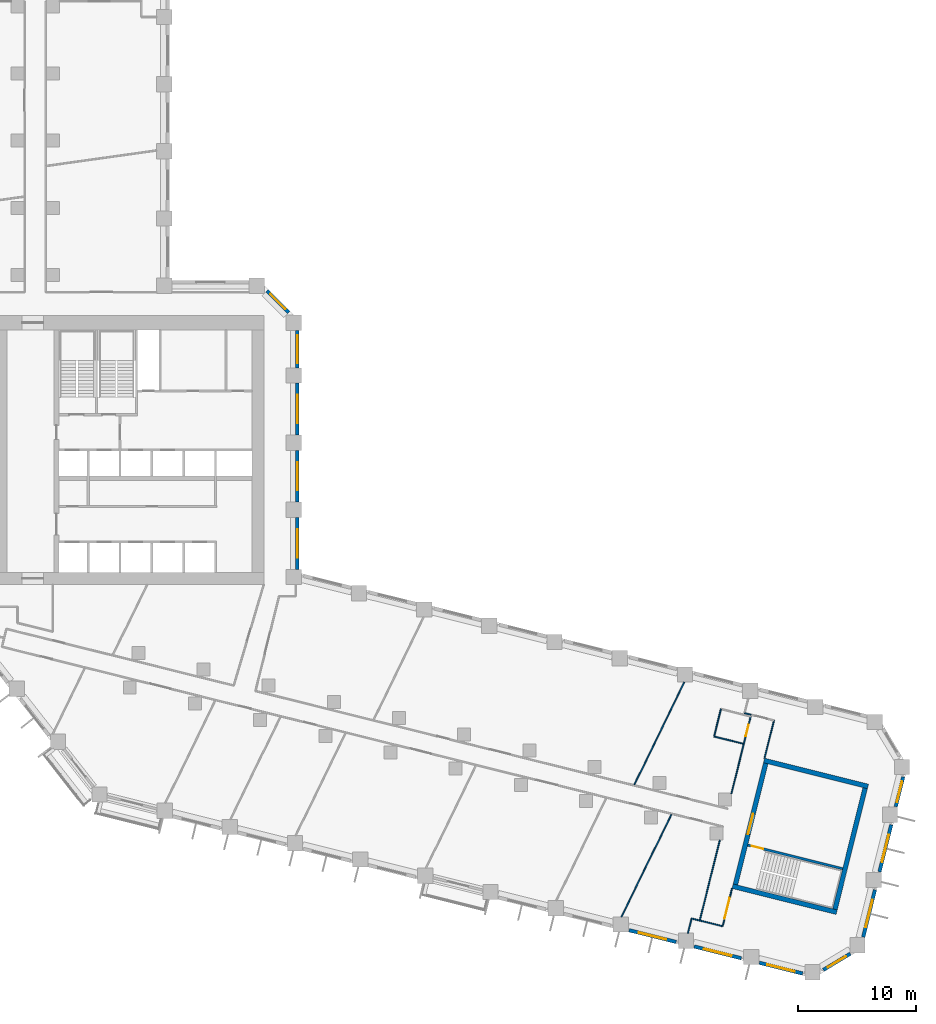
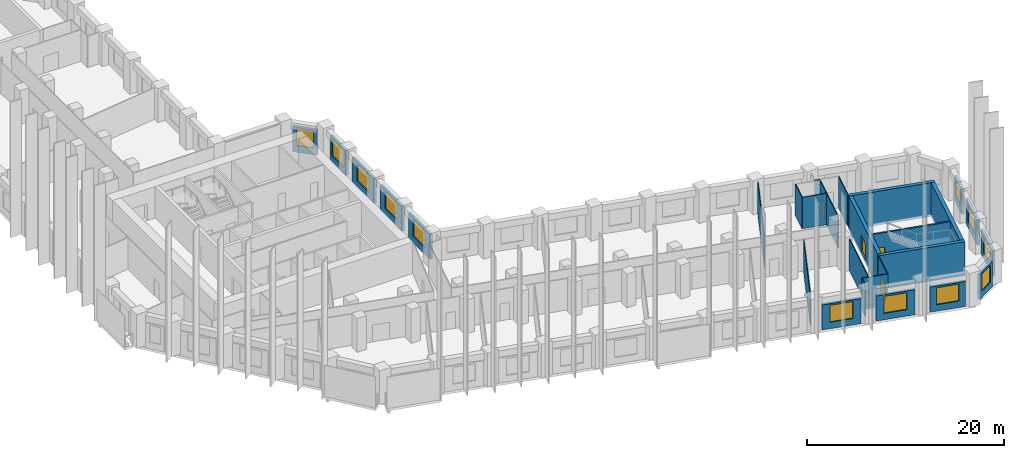
# One storey, part 6 of 11: 29 walls, 12 windows, 4 doors, 16 openings.
"""IFC4 building model written with IfcOpenShell, lengths in metres."""

import ifcopenshell
import ifcopenshell.guid

model = None  # the IFC model being written
_history = None  # IfcOwnerHistory: only IFC2X3 demands one
_inside = {}  # id of a spatial element -> (the spatial element, [elements in it])
_under = {}  # id of a project, library or spatial element -> (it, [spatial elements below it])
_declared = {}  # id of a project -> (the project, [libraries it declares])
_typed = {}  # id of a type object -> (the type object, [elements of that type])
_made_of = {}  # id of a material, layer set ... -> (it, [elements and type objects made of it])


def new_model(schema):
    """Start an empty IFC model of exactly this schema.

    Asked for "IFC4X3", IfcOpenShell would pick the latest addendum, in which some entities
    have other attributes; the version numbers below select the first issue.
    IFC2X3 requires an IfcOwnerHistory on every rooted entity: one is made here for all.
    """
    global model, _history
    if schema == "IFC4X3":
        model = ifcopenshell.file(schema_version=(4, 3, 0, 0))
    else:
        model = ifcopenshell.file(schema=schema)
    _inside.clear()
    _under.clear()
    _declared.clear()
    _typed.clear()
    _made_of.clear()
    _history = None
    if model.schema == "IFC2X3":
        org = make("IfcOrganization", Name="unknown")
        user = make(
            "IfcPersonAndOrganization",
            ThePerson=make("IfcPerson", FamilyName="unknown"),
            TheOrganization=org,
        )
        app = make(
            "IfcApplication",
            ApplicationDeveloper=org,
            Version="unknown",
            ApplicationFullName="unknown",
            ApplicationIdentifier="unknown",
        )
        _history = make(
            "IfcOwnerHistory",
            OwningUser=user,
            OwningApplication=app,
            ChangeAction="ADDED",
            CreationDate=0,
        )
    return model


def make(cls, **values):
    """One entity of the class cls with the attributes given. An attribute that is None is left unset."""
    return model.create_entity(
        cls, **{name: value for name, value in values.items() if value is not None}
    )


def rooted(cls, **values):
    """An entity with a GlobalId (a new one), such as an element, a storey or a relation."""
    return make(cls, GlobalId=ifcopenshell.guid.new(), OwnerHistory=_history, **values)


def si_unit(unit_type, name, prefix=None):
    """IfcSIUnit, for example si_unit("LENGTHUNIT", "METRE", prefix="MILLI")."""
    return make("IfcSIUnit", UnitType=unit_type, Prefix=prefix, Name=name)


def assignment(units):
    """IfcUnitAssignment: the units of a project."""
    return None if units is None else make("IfcUnitAssignment", Units=units)


def point(xyz):
    """IfcCartesianPoint."""
    return None if xyz is None else make("IfcCartesianPoint", Coordinates=xyz)


def direction(xyz):
    """IfcDirection."""
    return None if xyz is None else make("IfcDirection", DirectionRatios=xyz)


def frame(location, z_axis=None, x_axis=None):
    """IfcAxis2Placement3D, a coordinate frame: its origin and axes. An axis left out is left unset."""
    return make(
        "IfcAxis2Placement3D",
        Location=point(location),
        Axis=direction(z_axis),
        RefDirection=direction(x_axis),
    )


def frame_2d(location, x_axis=None):
    """IfcAxis2Placement2D, a coordinate frame in the plane: its origin and x axis."""
    return make(
        "IfcAxis2Placement2D", Location=point(location), RefDirection=direction(x_axis)
    )


def origin():
    """The frame at (0, 0, 0) with its axes left unset."""
    return frame((0.0, 0.0, 0.0))


def place(relative_to, where):
    """IfcLocalPlacement: puts the frame where relative to a parent placement (None: the world)."""
    return make(
        "IfcLocalPlacement", PlacementRelTo=relative_to, RelativePlacement=where
    )


def context(
    kind, dimensions, precision=None, world=None, true_north=None, identifier=None
):
    """IfcGeometricRepresentationContext, for example the 3D "Model" context."""
    return make(
        "IfcGeometricRepresentationContext",
        ContextIdentifier=identifier,
        ContextType=kind,
        CoordinateSpaceDimension=dimensions,
        Precision=precision,
        WorldCoordinateSystem=world,
        TrueNorth=true_north,
    )


def subcontext(parent, identifier, kind, view, scale=None):
    """IfcGeometricRepresentationSubContext, for example "Body" below "Model"."""
    return make(
        "IfcGeometricRepresentationSubContext",
        ContextIdentifier=identifier,
        ContextType=kind,
        ParentContext=parent,
        TargetScale=scale,
        TargetView=view,
    )


def project(units=None, contexts=None):
    """IfcProject with its units and contexts."""
    return rooted(
        "IfcProject",
        Name="project",
        RepresentationContexts=contexts,
        UnitsInContext=assignment(units),
    )


def spatial(cls, under=None, at=None, **own):
    """A site, building, storey or space (cls), placed at a placement, below another one or the project."""
    s = rooted(cls, ObjectPlacement=at, **own)
    if under is not None:
        _under.setdefault(under.id(), (under, []))[1].append(s)
    return s


def profile(cls, at=None, kind="AREA", **sizes):
    """A parametric profile (cls). Its sizes go by their IFC names, for example OverallWidth=200.0."""
    return make(cls, ProfileType=kind, Position=at, **sizes)


def rectangle(**sizes):
    """IfcRectangleProfileDef."""
    return profile("IfcRectangleProfileDef", **sizes)


def extrude(swept, where, along, depth):
    """IfcExtrudedAreaSolid: the profile swept, set in the frame where, extruded along a direction by depth."""
    return make(
        "IfcExtrudedAreaSolid",
        SweptArea=swept,
        Position=where,
        ExtrudedDirection=direction(along),
        Depth=depth,
    )


def shape(context_of_items, identifier, shape_type, items):
    """IfcShapeRepresentation: the items that make up one representation, for example the "Body"."""
    return make(
        "IfcShapeRepresentation",
        ContextOfItems=context_of_items,
        RepresentationIdentifier=identifier,
        RepresentationType=shape_type,
        Items=items,
    )


def material(Name=None, Category=None):
    """IfcMaterial."""
    return make("IfcMaterial", Name=Name, Category=Category)


def layer(
    of_material, thickness, ventilated=None, Name=None, Category=None, Priority=None
):
    """IfcMaterialLayer: one layer of a wall or slab, of a material (None: an air gap)."""
    return make(
        "IfcMaterialLayer",
        Material=of_material,
        LayerThickness=thickness,
        IsVentilated=ventilated,
        Name=Name,
        Category=Category,
        Priority=Priority,
    )


def layer_set(layers, Name=None):
    """IfcMaterialLayerSet."""
    return make("IfcMaterialLayerSet", MaterialLayers=layers, LayerSetName=Name)


def made_of(thing, what):
    """Note that an element or type object is made of a material, layer set ...; save() writes the relation."""
    if what is not None:
        _made_of.setdefault(what.id(), (what, []))[1].append(thing)
    return thing


def type_object(cls, material=None, **own):
    """A type object (cls), such as IfcWallType, which elements share."""
    return made_of(rooted(cls, **own), material)


def element(
    cls,
    number,
    at=None,
    inside=None,
    cuts=None,
    type_object=None,
    material=None,
    context=None,
    identifier="Body",
    shape_type=None,
    held_by="IfcProductDefinitionShape",
    body=None,
    shapes=None,
    **own,
):
    """One element of the class cls, such as IfcWall. Its Tag is "e" and its number.

    at: its placement. inside: the storey or other place that contains it. cuts: it is an
    opening in that element (IfcRelVoidsElement). A single representation is given by context,
    identifier, shape_type and body (its items); several are given by shapes. held_by: the class
    of the entity that holds the representations. save() writes the other relations.
    """
    e = rooted(cls, Tag="e%d" % number, ObjectPlacement=at, **own)
    if body is not None:
        shapes = [shape(context, identifier, shape_type, body)]
    if shapes is not None:
        e.Representation = make(held_by, Representations=shapes)
    if inside is not None:
        _inside.setdefault(inside.id(), (inside, []))[1].append(e)
    if cuts is not None:
        rooted(
            "IfcRelVoidsElement", RelatingBuildingElement=cuts, RelatedOpeningElement=e
        )
    if type_object is not None:
        _typed.setdefault(type_object.id(), (type_object, []))[1].append(e)
    return made_of(e, material)


def fill(opening, filler):
    """IfcRelFillsElement: the door or window that sits in an opening."""
    return rooted(
        "IfcRelFillsElement",
        RelatingOpeningElement=opening,
        RelatedBuildingElement=filler,
    )


def aggregate(whole, parts):
    """IfcRelAggregates: a whole, such as a stair, and the parts it consists of."""
    return rooted("IfcRelAggregates", RelatingObject=whole, RelatedObjects=parts)


def save(model, path):
    """Write the relations noted so far, then the file.

    IfcRelAggregates (storeys below a building ...), IfcRelContainedInSpatialStructure (elements
    in a storey), IfcRelDefinesByType, IfcRelAssociatesMaterial and IfcRelDeclares: one each for
    every whole, place, type object, material and project.
    """
    for whole, parts in _under.values():
        aggregate(whole, parts)
    for where, things in _inside.values():
        rooted(
            "IfcRelContainedInSpatialStructure",
            RelatedElements=things,
            RelatingStructure=where,
        )
    for kind, things in _typed.values():
        rooted("IfcRelDefinesByType", RelatedObjects=things, RelatingType=kind)
    for what, things in _made_of.values():
        rooted("IfcRelAssociatesMaterial", RelatedObjects=things, RelatingMaterial=what)
    for by, libraries in _declared.values():
        rooted("IfcRelDeclares", RelatingContext=by, RelatedDefinitions=libraries)
    model.write(path)


model = new_model("IFC4")

# Units and contexts
model_context = context("Model", 3, precision=1e-05, world=origin(), true_north=direction((0.0, 1.0)))
body_context = subcontext(model_context, "Body", "Model", "MODEL_VIEW")
ifc_project = project(units=[si_unit("LENGTHUNIT", "METRE"), si_unit("AREAUNIT", "SQUARE_METRE"), si_unit("VOLUMEUNIT", "CUBIC_METRE"), si_unit("PLANEANGLEUNIT", "RADIAN"), si_unit("MASSUNIT", "GRAM", prefix="KILO")], contexts=[model_context])

# Site, building, storey
site_placement = place(None, origin())
site = spatial("IfcSite", under=ifc_project, at=site_placement, CompositionType="ELEMENT")
building_placement = place(site_placement, origin())
building = spatial("IfcBuilding", under=site, at=building_placement, Name="Meshkara Civic Tower", CompositionType="ELEMENT")
storey_placement = place(building_placement, frame((0.0, 0.0, 97.199951171875)))
storey = spatial("IfcBuildingStorey", under=building, at=storey_placement, Name="L21", CompositionType="ELEMENT", Elevation=97.199951171875)

# Walls
ifc_material_1 = material(Name="Corridor wall 100")
ifc_layer_1 = layer(ifc_material_1, 0.10009765625)
ifc_layer_set_1 = layer_set([ifc_layer_1], Name="Corridor wall 100")
wall_type_1 = type_object("IfcWallType", Name="Corridor wall 100", PredefinedType="PARTITIONING", material=ifc_layer_set_1)
wall_1_placement = place(storey_placement, frame((67.79296875, -14.428955078125, 0.0), z_axis=(0.0, 0.0, 1.0), x_axis=(0.9702715884, -0.242018686767, 0.0)))
element("IfcWall", 1, at=wall_1_placement, inside=storey, type_object=wall_type_1, Name="L21-W025", PredefinedType="PARTITIONING", context=body_context, shape_type="SweptSolid", body=[
    extrude(rectangle(XDim=2.00048828125, YDim=0.10009765625, at=frame_2d((1.000244140625, 0.0))), origin(), (0.0, 0.0, 1.0), 3.900146484375),
])
wall_2_placement = place(storey_placement, frame((69.49609375, -7.60009765625, 0.0), z_axis=(0.0, 0.0, 1.0), x_axis=(-0.241988728544, -0.970279060507, 0.0)))
element("IfcWall", 2, at=wall_2_placement, inside=storey, type_object=wall_type_1, Name="L21-W026", PredefinedType="PARTITIONING", context=body_context, shape_type="SweptSolid", body=[
    extrude(rectangle(XDim=7.0380859375, YDim=0.10009765625, at=frame_2d((3.51904296875, 0.0))), origin(), (0.0, 0.0, 1.0), 3.900146484375),
])

# Wall, opening, door
wall_3_placement = place(storey_placement, frame((69.73388671875, -14.9130859375, 0.0), z_axis=(0.0, 0.0, 1.0), x_axis=(0.241839284064, 0.97031631991, 0.0)))
wall_3 = element("IfcWall", 3, at=wall_3_placement, inside=storey, type_object=wall_type_1, Name="L21-W027", PredefinedType="PARTITIONING", context=body_context, shape_type="SweptSolid", body=[
    extrude(rectangle(XDim=3.300048828125, YDim=0.10009765625, at=frame_2d((1.64990234375, 0.0))), origin(), (0.0, 0.0, 1.0), 3.900146484375),
])
opening_1_placement = place(wall_3_placement, frame((0.679931640625, 0.0, 0.0)))
opening_1 = element("IfcOpeningElement", 4, at=opening_1_placement, cuts=wall_3, Name="Opening L21-D001", PredefinedType="OPENING", context=body_context, shape_type="SweptSolid", body=[
    extrude(rectangle(XDim=1.800048828125, YDim=2.10009765625, at=frame_2d((0.89990234375, 1.050048828125))), frame((0.0, 0.06005859375, 0.0), z_axis=(0.0, -1.0, 0.0), x_axis=(1.0, 0.0, 0.0)), (0.0, 0.0, 1.0), 0.1201171875),
])
ifc_material_2 = material(Name="Door pair 1800 x 2100")
door_type_1 = type_object("IfcDoorType", Name="Door pair 1800 x 2100", OperationType="SINGLE_SWING_LEFT", PredefinedType="DOOR", material=ifc_material_2)
door_1_placement = place(opening_1_placement, origin())
door_1 = element("IfcDoor", 5, at=door_1_placement, inside=storey, type_object=door_type_1, Name="L21-D001", OperationType="DOUBLE_DOOR_SINGLE_SWING", OverallHeight=2.10009765625, OverallWidth=1.800048828125, PredefinedType="DOOR", context=body_context, shape_type="SweptSolid", body=[
    extrude(rectangle(XDim=1.800048828125, YDim=2.10009765625, at=frame_2d((0.89990234375, 1.050048828125))), frame((0.0, 0.02490234375, 0.0), z_axis=(0.0, -1.0, 0.0), x_axis=(1.0, 0.0, 0.0)), (0.0, 0.0, 1.0), 0.050048828125),
])
fill(opening_1, door_1)

wall_4_placement = place(storey_placement, frame((70.47607421875, -3.6689453125, 0.0), z_axis=(0.0, 0.0, 1.0), x_axis=(0.242017211246, 0.970271956443, 0.0)))
wall_4 = element("IfcWall", 6, at=wall_4_placement, inside=storey, type_object=wall_type_1, Name="L21-W028", PredefinedType="PARTITIONING", context=body_context, shape_type="SweptSolid", body=[
    extrude(rectangle(XDim=6.759765625, YDim=0.10009765625, at=frame_2d((3.3798828125, 0.0))), origin(), (0.0, 0.0, 1.0), 3.900146484375),
])
opening_2_placement = place(wall_4_placement, frame((5.0400390625, 0.0, 0.0)))
opening_2 = element("IfcOpeningElement", 7, at=opening_2_placement, cuts=wall_4, Name="Opening L21-D012", PredefinedType="OPENING", context=body_context, shape_type="SweptSolid", body=[
    extrude(rectangle(XDim=1.0, YDim=2.10009765625, at=frame_2d((0.5, 1.050048828125))), frame((0.0, 0.06005859375, 0.0), z_axis=(0.0, -1.0, 0.0), x_axis=(1.0, 0.0, 0.0)), (0.0, 0.0, 1.0), 0.1201171875),
])
ifc_material_3 = material(Name="Door 1000 x 2100")
door_type_2 = type_object("IfcDoorType", Name="Door 1000 x 2100", OperationType="SINGLE_SWING_LEFT", PredefinedType="DOOR", material=ifc_material_3)
door_2_placement = place(opening_2_placement, origin())
door_2 = element("IfcDoor", 8, at=door_2_placement, inside=storey, type_object=door_type_2, Name="L21-D012", OperationType="SINGLE_SWING_LEFT", OverallHeight=2.10009765625, OverallWidth=1.0, PredefinedType="DOOR", context=body_context, shape_type="SweptSolid", body=[
    extrude(rectangle(XDim=1.0, YDim=2.10009765625, at=frame_2d((0.5, 1.050048828125))), frame((0.0, 0.02490234375, 0.0), z_axis=(0.0, -1.0, 0.0), x_axis=(1.0, 0.0, 0.0)), (0.0, 0.0, 1.0), 0.050048828125),
])
fill(opening_2, door_2)

# Wall
wall_5_placement = place(storey_placement, frame((73.2900390625, -0.64990234375, 0.0), z_axis=(0.0, 0.0, 1.0), x_axis=(0.241786986316, 0.970329352977, 0.0)))
element("IfcWall", 9, at=wall_5_placement, inside=storey, type_object=wall_type_1, Name="L21-W029", PredefinedType="PARTITIONING", context=body_context, shape_type="SweptSolid", body=[
    extrude(rectangle(XDim=3.2998046875, YDim=0.10009765625, at=frame_2d((1.64990234375, 0.0))), origin(), (0.0, 0.0, 1.0), 3.900146484375),
])

# Wall, opening, window
ifc_material_4 = material(Name="Insulated infill panel with bronze anodised aluminium cladding", Category="aluminium")
ifc_layer_2 = layer(ifc_material_4, 0.300048828125)
ifc_layer_set_2 = layer_set([ifc_layer_2], Name="EXTERNAL INFILL WALL 300")
wall_type_2 = type_object("IfcWallType", Name="EXTERNAL INFILL WALL 300", PredefinedType="SOLIDWALL", material=ifc_layer_set_2)
wall_6_placement = place(storey_placement, frame((33.64990234375, 15.368896484375, 0.0), z_axis=(0.0, 0.0, 1.0), x_axis=(0.0, 1.0, 0.0)))
wall_6 = element("IfcWall", 10, at=wall_6_placement, inside=storey, type_object=wall_type_2, Name="External wall", PredefinedType="SOLIDWALL", context=body_context, shape_type="SweptSolid", body=[
    extrude(rectangle(XDim=4.400146484375, YDim=0.300048828125, at=frame_2d((2.2001953125, 0.0))), origin(), (0.0, 0.0, 1.0), 3.10009765625),
])
opening_3_placement = place(wall_6_placement, frame((1.0, 0.0, 0.800048828125)))
opening_3 = element("IfcOpeningElement", 11, at=opening_3_placement, cuts=wall_6, Name="Opening W7", PredefinedType="OPENING", context=body_context, shape_type="SweptSolid", body=[
    extrude(rectangle(XDim=2.39990234375, YDim=2.10009765625, at=frame_2d((1.199951171875, 1.050048828125))), frame((0.0, 0.159912109375, 0.0), z_axis=(0.0, -1.0, 0.0), x_axis=(1.0, 0.0, 0.0)), (0.0, 0.0, 1.0), 0.320068359375),
])
ifc_material_5 = material(Name="Tinted double glazing", Category="glass")
window_type_1 = type_object("IfcWindowType", Name="WINDOW 2400x2100", PartitioningType="DOUBLE_PANEL_VERTICAL", PredefinedType="WINDOW", material=ifc_material_5)
window_1_placement = place(opening_3_placement, origin())
window_1 = element("IfcWindow", 12, at=window_1_placement, inside=storey, type_object=window_type_1, Name="Window", OverallHeight=2.10009765625, OverallWidth=2.39990234375, PartitioningType="DOUBLE_PANEL_VERTICAL", PredefinedType="WINDOW", context=body_context, shape_type="SweptSolid", body=[
    extrude(rectangle(XDim=2.39990234375, YDim=2.10009765625, at=frame_2d((1.199951171875, 1.050048828125))), frame((0.0, 0.030029296875, 0.0), z_axis=(0.0, -1.0, 0.0), x_axis=(1.0, 0.0, 0.0)), (0.0, 0.0, 1.0), 0.06005859375),
])
fill(opening_3, window_1)

wall_7_placement = place(storey_placement, frame((33.64990234375, 21.069091796875, 0.0), z_axis=(0.0, 0.0, 1.0), x_axis=(0.0, 1.0, 0.0)))
wall_7 = element("IfcWall", 13, at=wall_7_placement, inside=storey, type_object=wall_type_2, Name="External wall", PredefinedType="SOLIDWALL", context=body_context, shape_type="SweptSolid", body=[
    extrude(rectangle(XDim=4.39990234375, YDim=0.300048828125, at=frame_2d((2.199951171875, 0.0))), origin(), (0.0, 0.0, 1.0), 3.10009765625),
])
opening_4_placement = place(wall_7_placement, frame((1.0, 0.0, 0.800048828125)))
opening_4 = element("IfcOpeningElement", 14, at=opening_4_placement, cuts=wall_7, Name="Opening W7", PredefinedType="OPENING", context=body_context, shape_type="SweptSolid", body=[
    extrude(rectangle(XDim=2.39990234375, YDim=2.10009765625, at=frame_2d((1.199951171875, 1.050048828125))), frame((0.0, 0.159912109375, 0.0), z_axis=(0.0, -1.0, 0.0), x_axis=(1.0, 0.0, 0.0)), (0.0, 0.0, 1.0), 0.320068359375),
])
window_2_placement = place(opening_4_placement, origin())
window_2 = element("IfcWindow", 15, at=window_2_placement, inside=storey, type_object=window_type_1, Name="Window", OverallHeight=2.10009765625, OverallWidth=2.39990234375, PartitioningType="DOUBLE_PANEL_VERTICAL", PredefinedType="WINDOW", context=body_context, shape_type="SweptSolid", body=[
    extrude(rectangle(XDim=2.39990234375, YDim=2.10009765625, at=frame_2d((1.199951171875, 1.050048828125))), frame((0.0, 0.030029296875, 0.0), z_axis=(0.0, -1.0, 0.0), x_axis=(1.0, 0.0, 0.0)), (0.0, 0.0, 1.0), 0.06005859375),
])
fill(opening_4, window_2)

wall_8_placement = place(storey_placement, frame((33.64990234375, 26.76904296875, 0.0), z_axis=(0.0, 0.0, 1.0), x_axis=(0.0, 1.0, 0.0)))
wall_8 = element("IfcWall", 16, at=wall_8_placement, inside=storey, type_object=wall_type_2, Name="External wall", PredefinedType="SOLIDWALL", context=body_context, shape_type="SweptSolid", body=[
    extrude(rectangle(XDim=4.39990234375, YDim=0.300048828125, at=frame_2d((2.199951171875, 0.0))), origin(), (0.0, 0.0, 1.0), 3.10009765625),
])
opening_5_placement = place(wall_8_placement, frame((1.0, 0.0, 0.800048828125)))
opening_5 = element("IfcOpeningElement", 17, at=opening_5_placement, cuts=wall_8, Name="Opening W7", PredefinedType="OPENING", context=body_context, shape_type="SweptSolid", body=[
    extrude(rectangle(XDim=2.39990234375, YDim=2.10009765625, at=frame_2d((1.199951171875, 1.050048828125))), frame((0.0, 0.159912109375, 0.0), z_axis=(0.0, -1.0, 0.0), x_axis=(1.0, 0.0, 0.0)), (0.0, 0.0, 1.0), 0.320068359375),
])
window_3_placement = place(opening_5_placement, origin())
window_3 = element("IfcWindow", 18, at=window_3_placement, inside=storey, type_object=window_type_1, Name="Window", OverallHeight=2.10009765625, OverallWidth=2.39990234375, PartitioningType="DOUBLE_PANEL_VERTICAL", PredefinedType="WINDOW", context=body_context, shape_type="SweptSolid", body=[
    extrude(rectangle(XDim=2.39990234375, YDim=2.10009765625, at=frame_2d((1.199951171875, 1.050048828125))), frame((0.0, 0.030029296875, 0.0), z_axis=(0.0, -1.0, 0.0), x_axis=(1.0, 0.0, 0.0)), (0.0, 0.0, 1.0), 0.06005859375),
])
fill(opening_5, window_3)

wall_9_placement = place(storey_placement, frame((33.64990234375, 32.468994140625, 0.0), z_axis=(0.0, 0.0, 1.0), x_axis=(0.0, 1.0, 0.0)))
wall_9 = element("IfcWall", 19, at=wall_9_placement, inside=storey, type_object=wall_type_2, Name="External wall", PredefinedType="SOLIDWALL", context=body_context, shape_type="SweptSolid", body=[
    extrude(rectangle(XDim=3.175048828125, YDim=0.300048828125, at=frame_2d((1.58740234375, 0.0))), origin(), (0.0, 0.0, 1.0), 3.10009765625),
])
opening_6_placement = place(wall_9_placement, frame((0.387939453125, 0.0, 0.800048828125)))
opening_6 = element("IfcOpeningElement", 20, at=opening_6_placement, cuts=wall_9, Name="Opening W7", PredefinedType="OPENING", context=body_context, shape_type="SweptSolid", body=[
    extrude(rectangle(XDim=2.39990234375, YDim=2.10009765625, at=frame_2d((1.199951171875, 1.050048828125))), frame((0.0, 0.159912109375, 0.0), z_axis=(0.0, -1.0, 0.0), x_axis=(1.0, 0.0, 0.0)), (0.0, 0.0, 1.0), 0.320068359375),
])
window_4_placement = place(opening_6_placement, origin())
window_4 = element("IfcWindow", 21, at=window_4_placement, inside=storey, type_object=window_type_1, Name="Window", OverallHeight=2.10009765625, OverallWidth=2.39990234375, PartitioningType="DOUBLE_PANEL_VERTICAL", PredefinedType="WINDOW", context=body_context, shape_type="SweptSolid", body=[
    extrude(rectangle(XDim=2.39990234375, YDim=2.10009765625, at=frame_2d((1.199951171875, 1.050048828125))), frame((0.0, 0.030029296875, 0.0), z_axis=(0.0, -1.0, 0.0), x_axis=(1.0, 0.0, 0.0)), (0.0, 0.0, 1.0), 0.06005859375),
])
fill(opening_6, window_4)

wall_10_placement = place(storey_placement, frame((32.912109375, 37.156005859375, 0.0), z_axis=(0.0, 0.0, 1.0), x_axis=(-0.707153284542, 0.707060274772, 0.0)))
wall_10 = element("IfcWall", 22, at=wall_10_placement, inside=storey, type_object=wall_type_2, Name="External wall", PredefinedType="SOLIDWALL", context=body_context, shape_type="SweptSolid", body=[
    extrude(rectangle(XDim=2.625, YDim=0.300048828125, at=frame_2d((1.3125, 0.0))), origin(), (0.0, 0.0, 1.0), 3.10009765625),
])
opening_7_placement = place(wall_10_placement, frame((0.412109375, 0.0, 0.800048828125)))
opening_7 = element("IfcOpeningElement", 23, at=opening_7_placement, cuts=wall_10, Name="Opening W9", PredefinedType="OPENING", context=body_context, shape_type="SweptSolid", body=[
    extrude(rectangle(XDim=1.800048828125, YDim=2.10009765625, at=frame_2d((0.89990234375, 1.050048828125))), frame((0.0, 0.159912109375, 0.0), z_axis=(0.0, -1.0, 0.0), x_axis=(1.0, 0.0, 0.0)), (0.0, 0.0, 1.0), 0.320068359375),
])
ifc_material_6 = material(Name="Tinted double glazing", Category="glass")
window_type_2 = type_object("IfcWindowType", Name="WINDOW 1800x2100", PartitioningType="DOUBLE_PANEL_VERTICAL", PredefinedType="WINDOW", material=ifc_material_6)
window_5_placement = place(opening_7_placement, origin())
window_5 = element("IfcWindow", 24, at=window_5_placement, inside=storey, type_object=window_type_2, Name="Window", OverallHeight=2.10009765625, OverallWidth=1.800048828125, PartitioningType="DOUBLE_PANEL_VERTICAL", PredefinedType="WINDOW", context=body_context, shape_type="SweptSolid", body=[
    extrude(rectangle(XDim=1.800048828125, YDim=2.10009765625, at=frame_2d((0.89990234375, 1.050048828125))), frame((0.0, 0.030029296875, 0.0), z_axis=(0.0, -1.0, 0.0), x_axis=(1.0, 0.0, 0.0)), (0.0, 0.0, 1.0), 0.06005859375),
])
fill(opening_7, window_5)

wall_11_placement = place(storey_placement, frame((61.7890625, -15.2509765625, 0.0), z_axis=(0.0, 0.0, 1.0), x_axis=(0.970323340708, -0.24181111322, 0.0)))
wall_11 = element("IfcWall", 25, at=wall_11_placement, inside=storey, type_object=wall_type_2, Name="External wall", PredefinedType="SOLIDWALL", context=body_context, shape_type="SweptSolid", body=[
    extrude(rectangle(XDim=4.123291015625, YDim=0.300048828125, at=frame_2d((2.0615234375, 0.0))), origin(), (0.0, 0.0, 1.0), 3.10009765625),
])
opening_8_placement = place(wall_11_placement, frame((0.862060546875, 0.0, 0.800048828125)))
opening_8 = element("IfcOpeningElement", 26, at=opening_8_placement, cuts=wall_11, Name="Opening W7", PredefinedType="OPENING", context=body_context, shape_type="SweptSolid", body=[
    extrude(rectangle(XDim=2.39990234375, YDim=2.10009765625, at=frame_2d((1.199951171875, 1.050048828125))), frame((0.0, 0.159912109375, 0.0), z_axis=(0.0, -1.0, 0.0), x_axis=(1.0, 0.0, 0.0)), (0.0, 0.0, 1.0), 0.320068359375),
])
window_6_placement = place(opening_8_placement, origin())
window_6 = element("IfcWindow", 27, at=window_6_placement, inside=storey, type_object=window_type_1, Name="Window", OverallHeight=2.10009765625, OverallWidth=2.39990234375, PartitioningType="DOUBLE_PANEL_VERTICAL", PredefinedType="WINDOW", context=body_context, shape_type="SweptSolid", body=[
    extrude(rectangle(XDim=2.39990234375, YDim=2.10009765625, at=frame_2d((1.199951171875, 1.050048828125))), frame((0.0, 0.030029296875, 0.0), z_axis=(0.0, -1.0, 0.0), x_axis=(1.0, 0.0, 0.0)), (0.0, 0.0, 1.0), 0.06005859375),
])
fill(opening_8, window_6)

wall_12_placement = place(storey_placement, frame((67.319091796875, -16.6298828125, 0.0), z_axis=(0.0, 0.0, 1.0), x_axis=(0.970337184445, -0.241755555227, 0.0)))
wall_12 = element("IfcWall", 28, at=wall_12_placement, inside=storey, type_object=wall_type_2, Name="External wall", PredefinedType="SOLIDWALL", context=body_context, shape_type="SweptSolid", body=[
    extrude(rectangle(XDim=4.124267578125, YDim=0.300048828125, at=frame_2d((2.06201171875, 0.0))), origin(), (0.0, 0.0, 1.0), 3.10009765625),
])
opening_9_placement = place(wall_12_placement, frame((0.862060546875, 0.0, 0.800048828125)))
opening_9 = element("IfcOpeningElement", 29, at=opening_9_placement, cuts=wall_12, Name="Opening W7", PredefinedType="OPENING", context=body_context, shape_type="SweptSolid", body=[
    extrude(rectangle(XDim=2.39990234375, YDim=2.10009765625, at=frame_2d((1.199951171875, 1.050048828125))), frame((0.0, 0.159912109375, 0.0), z_axis=(0.0, -1.0, 0.0), x_axis=(1.0, 0.0, 0.0)), (0.0, 0.0, 1.0), 0.320068359375),
])
window_7_placement = place(opening_9_placement, origin())
window_7 = element("IfcWindow", 30, at=window_7_placement, inside=storey, type_object=window_type_1, Name="Window", OverallHeight=2.10009765625, OverallWidth=2.39990234375, PartitioningType="DOUBLE_PANEL_VERTICAL", PredefinedType="WINDOW", context=body_context, shape_type="SweptSolid", body=[
    extrude(rectangle(XDim=2.39990234375, YDim=2.10009765625, at=frame_2d((1.199951171875, 1.050048828125))), frame((0.0, 0.030029296875, 0.0), z_axis=(0.0, -1.0, 0.0), x_axis=(1.0, 0.0, 0.0)), (0.0, 0.0, 1.0), 0.06005859375),
])
fill(opening_9, window_7)

wall_13_placement = place(storey_placement, frame((72.85009765625, -18.009033203125, 0.0), z_axis=(0.0, 0.0, 1.0), x_axis=(0.970309295155, -0.241867467295, 0.0)))
wall_13 = element("IfcWall", 31, at=wall_13_placement, inside=storey, type_object=wall_type_2, Name="External wall", PredefinedType="SOLIDWALL", context=body_context, shape_type="SweptSolid", body=[
    extrude(rectangle(XDim=3.783203125, YDim=0.300048828125, at=frame_2d((1.8916015625, 0.0))), origin(), (0.0, 0.0, 1.0), 3.10009765625),
])
opening_10_placement = place(wall_13_placement, frame((0.69189453125, 0.0, 0.800048828125)))
opening_10 = element("IfcOpeningElement", 32, at=opening_10_placement, cuts=wall_13, Name="Opening W7", PredefinedType="OPENING", context=body_context, shape_type="SweptSolid", body=[
    extrude(rectangle(XDim=2.39990234375, YDim=2.10009765625, at=frame_2d((1.199951171875, 1.050048828125))), frame((0.0, 0.159912109375, 0.0), z_axis=(0.0, -1.0, 0.0), x_axis=(1.0, 0.0, 0.0)), (0.0, 0.0, 1.0), 0.320068359375),
])
window_8_placement = place(opening_10_placement, origin())
window_8 = element("IfcWindow", 33, at=window_8_placement, inside=storey, type_object=window_type_1, Name="Window", OverallHeight=2.10009765625, OverallWidth=2.39990234375, PartitioningType="DOUBLE_PANEL_VERTICAL", PredefinedType="WINDOW", context=body_context, shape_type="SweptSolid", body=[
    extrude(rectangle(XDim=2.39990234375, YDim=2.10009765625, at=frame_2d((1.199951171875, 1.050048828125))), frame((0.0, 0.030029296875, 0.0), z_axis=(0.0, -1.0, 0.0), x_axis=(1.0, 0.0, 0.0)), (0.0, 0.0, 1.0), 0.06005859375),
])
fill(opening_10, window_8)

wall_14_placement = place(storey_placement, frame((78.277099609375, -18.62109375, 0.0), z_axis=(0.0, 0.0, 1.0), x_axis=(0.857066424989, 0.515205923061, 0.0)))
wall_14 = element("IfcWall", 34, at=wall_14_placement, inside=storey, type_object=wall_type_2, Name="External wall", PredefinedType="SOLIDWALL", context=body_context, shape_type="SweptSolid", body=[
    extrude(rectangle(XDim=2.6787109375, YDim=0.300048828125, at=frame_2d((1.33935546875, 0.0))), origin(), (0.0, 0.0, 1.0), 3.10009765625),
])
opening_11_placement = place(wall_14_placement, frame((0.43896484375, 0.0, 0.800048828125)))
opening_11 = element("IfcOpeningElement", 35, at=opening_11_placement, cuts=wall_14, Name="Opening W9", PredefinedType="OPENING", context=body_context, shape_type="SweptSolid", body=[
    extrude(rectangle(XDim=1.800048828125, YDim=2.10009765625, at=frame_2d((0.89990234375, 1.050048828125))), frame((0.0, 0.159912109375, 0.0), z_axis=(0.0, -1.0, 0.0), x_axis=(1.0, 0.0, 0.0)), (0.0, 0.0, 1.0), 0.320068359375),
])
window_9_placement = place(opening_11_placement, origin())
window_9 = element("IfcWindow", 36, at=window_9_placement, inside=storey, type_object=window_type_2, Name="Window", OverallHeight=2.10009765625, OverallWidth=1.800048828125, PartitioningType="DOUBLE_PANEL_VERTICAL", PredefinedType="WINDOW", context=body_context, shape_type="SweptSolid", body=[
    extrude(rectangle(XDim=1.800048828125, YDim=2.10009765625, at=frame_2d((0.89990234375, 1.050048828125))), frame((0.0, 0.030029296875, 0.0), z_axis=(0.0, -1.0, 0.0), x_axis=(1.0, 0.0, 0.0)), (0.0, 0.0, 1.0), 0.06005859375),
])
fill(opening_11, window_9)

wall_15_placement = place(storey_placement, frame((81.6650390625, -15.83203125, 0.0), z_axis=(0.0, 0.0, 1.0), x_axis=(0.241978480223, 0.970281616392, 0.0)))
wall_15 = element("IfcWall", 37, at=wall_15_placement, inside=storey, type_object=wall_type_2, Name="External wall", PredefinedType="SOLIDWALL", context=body_context, shape_type="SweptSolid", body=[
    extrude(rectangle(XDim=4.12451171875, YDim=0.300048828125, at=frame_2d((2.062255859375, 0.0))), origin(), (0.0, 0.0, 1.0), 3.10009765625),
])
opening_12_placement = place(wall_15_placement, frame((0.862060546875, 0.0, 0.800048828125)))
opening_12 = element("IfcOpeningElement", 38, at=opening_12_placement, cuts=wall_15, Name="Opening W7", PredefinedType="OPENING", context=body_context, shape_type="SweptSolid", body=[
    extrude(rectangle(XDim=2.39990234375, YDim=2.10009765625, at=frame_2d((1.199951171875, 1.050048828125))), frame((0.0, 0.159912109375, 0.0), z_axis=(0.0, -1.0, 0.0), x_axis=(1.0, 0.0, 0.0)), (0.0, 0.0, 1.0), 0.320068359375),
])
window_10_placement = place(opening_12_placement, origin())
window_10 = element("IfcWindow", 39, at=window_10_placement, inside=storey, type_object=window_type_1, Name="Window", OverallHeight=2.10009765625, OverallWidth=2.39990234375, PartitioningType="DOUBLE_PANEL_VERTICAL", PredefinedType="WINDOW", context=body_context, shape_type="SweptSolid", body=[
    extrude(rectangle(XDim=2.39990234375, YDim=2.10009765625, at=frame_2d((1.199951171875, 1.050048828125))), frame((0.0, 0.030029296875, 0.0), z_axis=(0.0, -1.0, 0.0), x_axis=(1.0, 0.0, 0.0)), (0.0, 0.0, 1.0), 0.06005859375),
])
fill(opening_12, window_10)

wall_16_placement = place(storey_placement, frame((83.0439453125, -10.301025390625, 0.0), z_axis=(0.0, 0.0, 1.0), x_axis=(0.242034083076, 0.970267747908, 0.0)))
wall_16 = element("IfcWall", 40, at=wall_16_placement, inside=storey, type_object=wall_type_2, Name="External wall", PredefinedType="SOLIDWALL", context=body_context, shape_type="SweptSolid", body=[
    extrude(rectangle(XDim=4.12353515625, YDim=0.300048828125, at=frame_2d((2.061767578125, 0.0))), origin(), (0.0, 0.0, 1.0), 3.10009765625),
])
opening_13_placement = place(wall_16_placement, frame((0.862060546875, 0.0, 0.800048828125)))
opening_13 = element("IfcOpeningElement", 41, at=opening_13_placement, cuts=wall_16, Name="Opening W7", PredefinedType="OPENING", context=body_context, shape_type="SweptSolid", body=[
    extrude(rectangle(XDim=2.39990234375, YDim=2.10009765625, at=frame_2d((1.199951171875, 1.050048828125))), frame((0.0, 0.159912109375, 0.0), z_axis=(0.0, -1.0, 0.0), x_axis=(1.0, 0.0, 0.0)), (0.0, 0.0, 1.0), 0.320068359375),
])
window_11_placement = place(opening_13_placement, origin())
window_11 = element("IfcWindow", 42, at=window_11_placement, inside=storey, type_object=window_type_1, Name="Window", OverallHeight=2.10009765625, OverallWidth=2.39990234375, PartitioningType="DOUBLE_PANEL_VERTICAL", PredefinedType="WINDOW", context=body_context, shape_type="SweptSolid", body=[
    extrude(rectangle(XDim=2.39990234375, YDim=2.10009765625, at=frame_2d((1.199951171875, 1.050048828125))), frame((0.0, 0.030029296875, 0.0), z_axis=(0.0, -1.0, 0.0), x_axis=(1.0, 0.0, 0.0)), (0.0, 0.0, 1.0), 0.06005859375),
])
fill(opening_13, window_11)

wall_17_placement = place(storey_placement, frame((84.423095703125, -4.77099609375, 0.0), z_axis=(0.0, 0.0, 1.0), x_axis=(0.241941668773, 0.970290796056, 0.0)))
wall_17 = element("IfcWall", 43, at=wall_17_placement, inside=storey, type_object=wall_type_2, Name="External wall", PredefinedType="SOLIDWALL", context=body_context, shape_type="SweptSolid", body=[
    extrude(rectangle(XDim=2.611572265625, YDim=0.300048828125, at=frame_2d((1.3056640625, 0.0))), origin(), (0.0, 0.0, 1.0), 3.10009765625),
])
opening_14_placement = place(wall_17_placement, frame((0.406005859375, 0.0, 0.800048828125)))
opening_14 = element("IfcOpeningElement", 44, at=opening_14_placement, cuts=wall_17, Name="Opening W9", PredefinedType="OPENING", context=body_context, shape_type="SweptSolid", body=[
    extrude(rectangle(XDim=1.800048828125, YDim=2.10009765625, at=frame_2d((0.89990234375, 1.050048828125))), frame((0.0, 0.159912109375, 0.0), z_axis=(0.0, -1.0, 0.0), x_axis=(1.0, 0.0, 0.0)), (0.0, 0.0, 1.0), 0.320068359375),
])
window_12_placement = place(opening_14_placement, origin())
window_12 = element("IfcWindow", 45, at=window_12_placement, inside=storey, type_object=window_type_2, Name="Window", OverallHeight=2.10009765625, OverallWidth=1.800048828125, PartitioningType="DOUBLE_PANEL_VERTICAL", PredefinedType="WINDOW", context=body_context, shape_type="SweptSolid", body=[
    extrude(rectangle(XDim=1.800048828125, YDim=2.10009765625, at=frame_2d((0.89990234375, 1.050048828125))), frame((0.0, 0.030029296875, 0.0), z_axis=(0.0, -1.0, 0.0), x_axis=(1.0, 0.0, 0.0)), (0.0, 0.0, 1.0), 0.06005859375),
])
fill(opening_14, window_12)

# Walls
ifc_material_7 = material(Name="Concrete C70", Category="concrete")
ifc_layer_3 = layer(ifc_material_7, 0.39990234375)
ifc_layer_set_3 = layer_set([ifc_layer_3], Name="End core ring wall 400 C70")
wall_type_3 = type_object("IfcWallType", Name="End core ring wall 400 C70", PredefinedType="SHEAR", material=ifc_layer_set_3)
for number, where, z_axis, x_axis, name in (
    (46, (70.580078125, -11.51708984375, -0.300048828125), (0.0, 0.0, 1.0), (0.970285938441, -0.241961149081, 0.0), "L21-C031"),
    (47, (73.240966796875, -0.843994140625, -0.300048828125), (0.0, 0.0, 1.0), (0.970312696888, -0.241853820019, 0.0), "L21-C032"),
):
    element("IfcWall", number, at=place(storey_placement, frame(where, z_axis=z_axis, x_axis=x_axis)), inside=storey, type_object=wall_type_3, Name=name, PredefinedType="SHEAR", context=body_context, shape_type="SweptSolid", body=[
        extrude(rectangle(XDim=9.100341796875, YDim=0.39990234375, at=frame_2d((4.55029296875, 0.0))), origin(), (0.0, 0.0, 1.0), 4.2001953125),
    ])

# Wall, opening, door
wall_18_placement = place(storey_placement, frame((70.822998046875, -11.37109375, -0.300048828125), z_axis=(0.0, 0.0, 1.0), x_axis=(0.241885246693, 0.97030486314, 0.0)))
wall_18 = element("IfcWall", 48, at=wall_18_placement, inside=storey, type_object=wall_type_3, Name="L21-C033", PredefinedType="SHEAR", context=body_context, shape_type="SweptSolid", body=[
    extrude(rectangle(XDim=10.599853515625, YDim=0.39990234375, at=frame_2d((5.2998046875, 0.0))), origin(), (0.0, 0.0, 1.0), 4.2001953125),
])
opening_15_placement = place(wall_18_placement, frame((4.39990234375, 0.0, 0.300048828125)))
opening_15 = element("IfcOpeningElement", 49, at=opening_15_placement, cuts=wall_18, Name="Opening L21-K202", PredefinedType="OPENING", context=body_context, shape_type="SweptSolid", body=[
    extrude(rectangle(XDim=1.800048828125, YDim=2.10009765625, at=frame_2d((0.89990234375, 1.050048828125))), frame((0.0, 0.2099609375, 0.0), z_axis=(0.0, -1.0, 0.0), x_axis=(1.0, 0.0, 0.0)), (0.0, 0.0, 1.0), 0.419921875),
])
ifc_material_8 = material(Name="Fire-rated door leaf in steel frame", Category="steel")
door_type_3 = type_object("IfcDoorType", Name="Core double door 1800 EI 60", OperationType="DOUBLE_DOOR_SINGLE_SWING", PredefinedType="DOOR", material=ifc_material_8)
door_3_placement = place(opening_15_placement, origin())
door_3 = element("IfcDoor", 50, at=door_3_placement, inside=storey, type_object=door_type_3, Name="L21-K202", OperationType="DOUBLE_DOOR_SINGLE_SWING", OverallHeight=2.10009765625, OverallWidth=1.800048828125, PredefinedType="DOOR", context=body_context, shape_type="SweptSolid", body=[
    extrude(rectangle(XDim=1.800048828125, YDim=2.10009765625, at=frame_2d((0.89990234375, 1.050048828125))), frame((0.0, 0.02490234375, 0.0), z_axis=(0.0, -1.0, 0.0), x_axis=(1.0, 0.0, 0.0)), (0.0, 0.0, 1.0), 0.050048828125),
])
fill(opening_15, door_3)

# Walls
wall_19_placement = place(storey_placement, frame((79.263916015625, -13.47607421875, -0.300048828125), z_axis=(0.0, 0.0, 1.0), x_axis=(0.241993665753, 0.970277829148, 0.0)))
element("IfcWall", 51, at=wall_19_placement, inside=storey, type_object=wall_type_3, Name="L21-C034", PredefinedType="SHEAR", context=body_context, shape_type="SweptSolid", body=[
    extrude(rectangle(XDim=10.60009765625, YDim=0.39990234375, at=frame_2d((5.300048828125, 0.0))), origin(), (0.0, 0.0, 1.0), 4.2001953125),
])
ifc_material_9 = material(Name="Partition 100")
ifc_layer_4 = layer(ifc_material_9, 0.10009765625)
ifc_layer_set_4 = layer_set([ifc_layer_4], Name="Partition 100")
wall_type_4 = type_object("IfcWallType", Name="Partition 100", PredefinedType="PARTITIONING", material=ifc_layer_set_4)
wall_20_placement = place(storey_placement, frame((61.14794921875, -14.118896484375, 0.0), z_axis=(0.0, 0.0, 1.0), x_axis=(0.438349551757, 0.898804578579, 0.0)))
element("IfcWall", 52, at=wall_20_placement, inside=storey, type_object=wall_type_4, Name="L21-W049", PredefinedType="PARTITIONING", context=body_context, shape_type="SweptSolid", body=[
    extrude(rectangle(XDim=9.6748046875, YDim=0.10009765625, at=frame_2d((4.83740234375, 0.0))), origin(), (0.0, 0.0, 1.0), 3.900146484375),
])
wall_21_placement = place(storey_placement, frame((62.241943359375, -2.89990234375, 0.0), z_axis=(0.0, 0.0, 1.0), x_axis=(0.438389323653, 0.898785180623, 0.0)))
element("IfcWall", 53, at=wall_21_placement, inside=storey, type_object=wall_type_4, Name="L21-W050", PredefinedType="PARTITIONING", context=body_context, shape_type="SweptSolid", body=[
    extrude(rectangle(XDim=9.674072265625, YDim=0.10009765625, at=frame_2d((4.8369140625, 0.0))), origin(), (0.0, 0.0, 1.0), 3.900146484375),
])
wall_22_placement = place(storey_placement, frame((66.7890625, -15.498046875, 0.0), z_axis=(0.0, 0.0, 1.0), x_axis=(0.242221476086, 0.970220983345, 0.0)))
element("IfcWall", 54, at=wall_22_placement, inside=storey, type_object=wall_type_4, Name="L21-W051", PredefinedType="PARTITIONING", context=body_context, shape_type="SweptSolid", body=[
    extrude(rectangle(XDim=1.280029296875, YDim=0.10009765625, at=frame_2d((0.64013671875, 0.0))), origin(), (0.0, 0.0, 1.0), 3.900146484375),
])
wall_23_placement = place(storey_placement, frame((67.09912109375, -14.256103515625, 0.0), z_axis=(0.0, 0.0, 1.0), x_axis=(0.970361718061, -0.24165706305, 0.0)))
element("IfcWall", 55, at=wall_23_placement, inside=storey, type_object=wall_type_4, Name="L21-W052", PredefinedType="PARTITIONING", context=body_context, shape_type="SweptSolid", body=[
    extrude(rectangle(XDim=0.71923828125, YDim=0.10009765625, at=frame_2d((0.359619140625, 0.0))), origin(), (0.0, 0.0, 1.0), 3.900146484375),
])
wall_24_placement = place(storey_placement, frame((69.008056640625, 1.19091796875, 0.0), z_axis=(0.0, 0.0, 1.0), x_axis=(0.242056985565, 0.970262034576, 0.0)))
element("IfcWall", 56, at=wall_24_placement, inside=storey, type_object=wall_type_4, Name="L21-W053", PredefinedType="PARTITIONING", context=body_context, shape_type="SweptSolid", body=[
    extrude(rectangle(XDim=2.400390625, YDim=0.10009765625, at=frame_2d((1.2001953125, 0.0))), origin(), (0.0, 0.0, 1.0), 3.900146484375),
])
wall_25_placement = place(storey_placement, frame((71.48193359375, 0.573974609375, 0.0), z_axis=(0.0, 0.0, 1.0), x_axis=(-0.970283152478, 0.241972320765, 0.0)))
element("IfcWall", 57, at=wall_25_placement, inside=storey, type_object=wall_type_4, Name="L21-W055", PredefinedType="PARTITIONING", context=body_context, shape_type="SweptSolid", body=[
    extrude(rectangle(XDim=2.549560546875, YDim=0.10009765625, at=frame_2d((1.27490234375, 0.0))), origin(), (0.0, 0.0, 1.0), 3.900146484375),
])
wall_26_placement = place(storey_placement, frame((72.152099609375, 3.034912109375, 0.0), z_axis=(0.0, 0.0, 1.0), x_axis=(-0.97039125345, 0.241538434265, 0.0)))
element("IfcWall", 58, at=wall_26_placement, inside=storey, type_object=wall_type_4, Name="L21-W057", PredefinedType="PARTITIONING", context=body_context, shape_type="SweptSolid", body=[
    extrude(rectangle(XDim=0.576171875, YDim=0.10009765625, at=frame_2d((0.2880859375, 0.0))), origin(), (0.0, 0.0, 1.0), 3.900146484375),
])

# Wall, opening, door
ifc_material_10 = material(Name="Concrete C40/50", Category="concrete")
ifc_layer_5 = layer(ifc_material_10, 0.199951171875)
ifc_layer_set_5 = layer_set([ifc_layer_5], Name="Stair enclosure wall 200 C40/50")
wall_type_5 = type_object("IfcWallType", Name="Stair enclosure wall 200 C40/50", PredefinedType="SOLIDWALL", material=ifc_layer_set_5)
wall_27_placement = place(storey_placement, frame((71.864013671875, -8.02392578125, 0.0), z_axis=(0.0, 0.0, 1.0), x_axis=(0.970289402158, -0.241947258837, 0.0)))
wall_27 = element("IfcWall", 59, at=wall_27_placement, inside=storey, type_object=wall_type_5, Name="L21-C035", PredefinedType="SOLIDWALL", context=body_context, shape_type="SweptSolid", body=[
    extrude(rectangle(XDim=8.299560546875, YDim=0.199951171875, at=frame_2d((4.14990234375, 0.0))), origin(), (0.0, 0.0, 1.0), 3.900146484375),
])
opening_16_placement = place(wall_27_placement, frame((0.35009765625, 0.0, 0.0)))
opening_16 = element("IfcOpeningElement", 60, at=opening_16_placement, cuts=wall_27, Name="Opening L21-K201", PredefinedType="OPENING", context=body_context, shape_type="SweptSolid", body=[
    extrude(rectangle(XDim=1.0, YDim=2.10009765625, at=frame_2d((0.5, 1.050048828125))), frame((0.0, 0.10986328125, 0.0), z_axis=(0.0, -1.0, 0.0), x_axis=(1.0, 0.0, 0.0)), (0.0, 0.0, 1.0), 0.219970703125),
])
ifc_material_11 = material(Name="Fire-rated door leaf in steel frame", Category="steel")
door_type_4 = type_object("IfcDoorType", Name="Stair door 1000 EI 120", OperationType="SINGLE_SWING_LEFT", PredefinedType="DOOR", material=ifc_material_11)
door_4_placement = place(opening_16_placement, origin())
door_4 = element("IfcDoor", 61, at=door_4_placement, inside=storey, type_object=door_type_4, Name="L21-K201", OperationType="SINGLE_SWING_LEFT", OverallHeight=2.10009765625, OverallWidth=1.0, PredefinedType="DOOR", context=body_context, shape_type="SweptSolid", body=[
    extrude(rectangle(XDim=1.0, YDim=2.10009765625, at=frame_2d((0.5, 1.050048828125))), frame((0.0, 0.02490234375, 0.0), z_axis=(0.0, -1.0, 0.0), x_axis=(1.0, 0.0, 0.0)), (0.0, 0.0, 1.0), 0.050048828125),
])
fill(opening_16, door_4)

save(model, "model.ifc")
